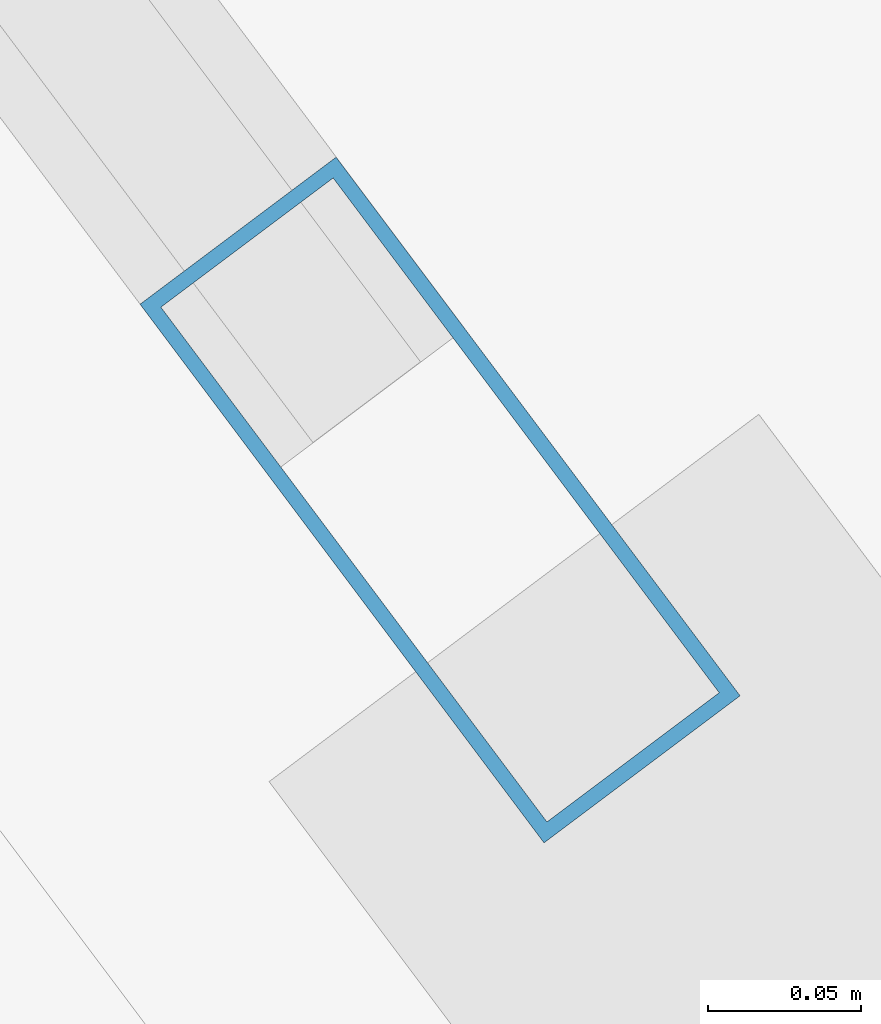
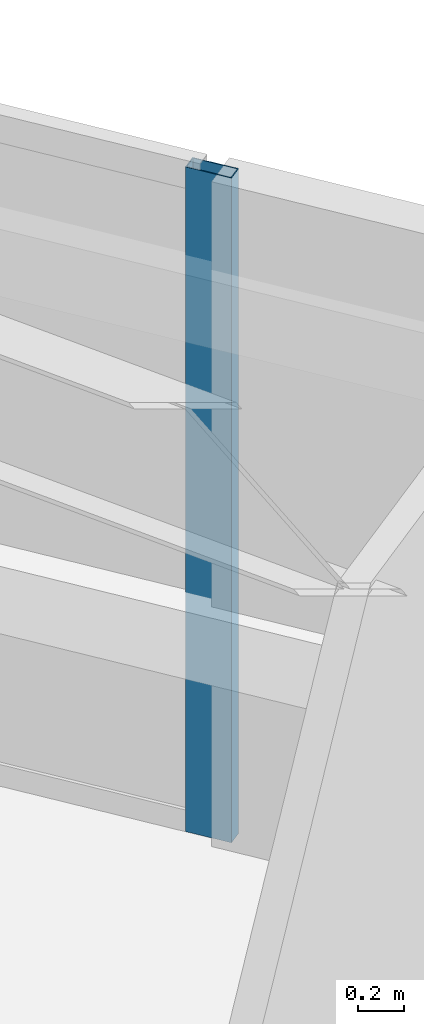
# One storey, part 26 of 44: 1 member, 1 element without a shape of its own.
"""IFC4 building model written with IfcOpenShell, lengths in metres."""

from ifc_helpers import new_model, si_unit, direction, frame, origin, origin_2d, place, context, subcontext, project, spatial, hollow_rectangle, extrude, material, material_profile, profile_set, type_object, element, aggregate, save


model = new_model("IFC4")

# Units and contexts
model_context = context("Model", 3, precision=1e-05, world=origin(), true_north=direction((0.0, 1.0)))
body_context = subcontext(model_context, "Body", "Model", "MODEL_VIEW")
ifc_project = project(units=[si_unit("LENGTHUNIT", "METRE"), si_unit("AREAUNIT", "SQUARE_METRE"), si_unit("VOLUMEUNIT", "CUBIC_METRE"), si_unit("PLANEANGLEUNIT", "RADIAN"), si_unit("MASSUNIT", "GRAM", prefix="KILO")], contexts=[model_context])

# Site, building, storey
site_placement = place(None, origin())
site = spatial("IfcSite", under=ifc_project, at=site_placement, CompositionType="ELEMENT")
building_placement = place(site_placement, origin())
building = spatial("IfcBuilding", under=site, at=building_placement, Name="Tashvorn Skyway Center", CompositionType="ELEMENT")
storey_placement = place(building_placement, frame((0.0, 0.0, 74.300048828125)))
storey = spatial("IfcBuildingStorey", under=building, at=storey_placement, Name="L19", CompositionType="ELEMENT", Elevation=74.300048828125)

# Curtain wall, member
ifc_material = material(Name="Thermally broken bronze-anodized aluminium 6063-T6", Category="aluminium")
curtain_wall_type = type_object("IfcCurtainWallType", Name="CW-CW-Z2", PredefinedType="NOTDEFINED", material=ifc_material)
curtain_wall_placement = place(storey_placement, origin())
curtain_wall = element("IfcCurtainWall", 1, at=curtain_wall_placement, inside=storey, type_object=curtain_wall_type, Name="Tower 2 L19 East Unitised Curtain Wall Glazing Group 3", PredefinedType="NOTDEFINED")
ifc_material_profile = material_profile(ifc_material, hollow_rectangle(XDim=0.080078125, YDim=0.219970703125, WallThickness=0.0048828125, at=origin_2d()), Name="ALU-MULL-80x220")
ifc_profile_set = profile_set([ifc_material_profile], Name="Thermally broken bronze-anodized aluminium 6063-T6")
member_type = type_object("IfcMemberType", Name="CWM-CW-Z2", PredefinedType="MULLION", material=ifc_profile_set)
member_placement = place(storey_placement, frame((135.639892578125, 36.280029296875, 0.0), z_axis=(0.0, 0.0, 1.0), x_axis=(0.799999999998, 0.600000000002, 0.0)))
member = element("IfcMember", 2, at=member_placement, type_object=member_type, Name="CW-Z2 mullion 2", PredefinedType="MULLION", context=body_context, shape_type="SweptSolid", body=[
    extrude(hollow_rectangle(XDim=0.080078125, YDim=0.219970703125, WallThickness=0.0048828125, at=origin_2d()), origin(), (0.0, 0.0, 1.0), 3.550048828125),
])
aggregate(curtain_wall, [member])

save(model, "model.ifc")
